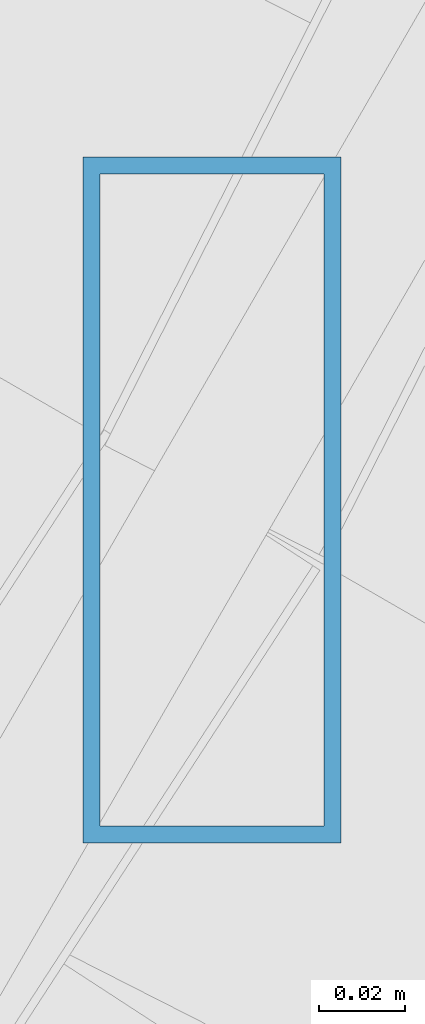
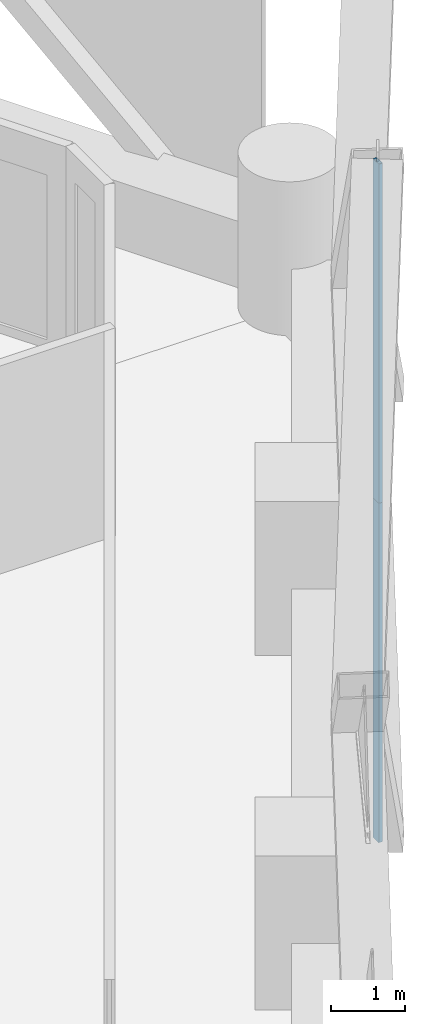
# One storey, part 6 of 22: 2 members, 1 element without a shape of its own.
"""IFC4 building model written with IfcOpenShell, lengths in metres."""

import ifcopenshell
import ifcopenshell.guid

model = None  # the IFC model being written
_history = None  # IfcOwnerHistory: only IFC2X3 demands one
_inside = {}  # id of a spatial element -> (the spatial element, [elements in it])
_under = {}  # id of a project, library or spatial element -> (it, [spatial elements below it])
_declared = {}  # id of a project -> (the project, [libraries it declares])
_typed = {}  # id of a type object -> (the type object, [elements of that type])
_made_of = {}  # id of a material, layer set ... -> (it, [elements and type objects made of it])


def new_model(schema):
    """Start an empty IFC model of exactly this schema.

    Asked for "IFC4X3", IfcOpenShell would pick the latest addendum, in which some entities
    have other attributes; the version numbers below select the first issue.
    IFC2X3 requires an IfcOwnerHistory on every rooted entity: one is made here for all.
    """
    global model, _history
    if schema == "IFC4X3":
        model = ifcopenshell.file(schema_version=(4, 3, 0, 0))
    else:
        model = ifcopenshell.file(schema=schema)
    _inside.clear()
    _under.clear()
    _declared.clear()
    _typed.clear()
    _made_of.clear()
    _history = None
    if model.schema == "IFC2X3":
        org = make("IfcOrganization", Name="unknown")
        user = make(
            "IfcPersonAndOrganization",
            ThePerson=make("IfcPerson", FamilyName="unknown"),
            TheOrganization=org,
        )
        app = make(
            "IfcApplication",
            ApplicationDeveloper=org,
            Version="unknown",
            ApplicationFullName="unknown",
            ApplicationIdentifier="unknown",
        )
        _history = make(
            "IfcOwnerHistory",
            OwningUser=user,
            OwningApplication=app,
            ChangeAction="ADDED",
            CreationDate=0,
        )
    return model


def make(cls, **values):
    """One entity of the class cls with the attributes given. An attribute that is None is left unset."""
    return model.create_entity(
        cls, **{name: value for name, value in values.items() if value is not None}
    )


def rooted(cls, **values):
    """An entity with a GlobalId (a new one), such as an element, a storey or a relation."""
    return make(cls, GlobalId=ifcopenshell.guid.new(), OwnerHistory=_history, **values)


def si_unit(unit_type, name, prefix=None):
    """IfcSIUnit, for example si_unit("LENGTHUNIT", "METRE", prefix="MILLI")."""
    return make("IfcSIUnit", UnitType=unit_type, Prefix=prefix, Name=name)


def assignment(units):
    """IfcUnitAssignment: the units of a project."""
    return None if units is None else make("IfcUnitAssignment", Units=units)


def point(xyz):
    """IfcCartesianPoint."""
    return None if xyz is None else make("IfcCartesianPoint", Coordinates=xyz)


def direction(xyz):
    """IfcDirection."""
    return None if xyz is None else make("IfcDirection", DirectionRatios=xyz)


def frame(location, z_axis=None, x_axis=None):
    """IfcAxis2Placement3D, a coordinate frame: its origin and axes. An axis left out is left unset."""
    return make(
        "IfcAxis2Placement3D",
        Location=point(location),
        Axis=direction(z_axis),
        RefDirection=direction(x_axis),
    )


def frame_2d(location, x_axis=None):
    """IfcAxis2Placement2D, a coordinate frame in the plane: its origin and x axis."""
    return make(
        "IfcAxis2Placement2D", Location=point(location), RefDirection=direction(x_axis)
    )


def origin():
    """The frame at (0, 0, 0) with its axes left unset."""
    return frame((0.0, 0.0, 0.0))


def origin_2d():
    """The frame at (0, 0) in the plane with its x axis left unset."""
    return frame_2d((0.0, 0.0))


def place(relative_to, where):
    """IfcLocalPlacement: puts the frame where relative to a parent placement (None: the world)."""
    return make(
        "IfcLocalPlacement", PlacementRelTo=relative_to, RelativePlacement=where
    )


def context(
    kind, dimensions, precision=None, world=None, true_north=None, identifier=None
):
    """IfcGeometricRepresentationContext, for example the 3D "Model" context."""
    return make(
        "IfcGeometricRepresentationContext",
        ContextIdentifier=identifier,
        ContextType=kind,
        CoordinateSpaceDimension=dimensions,
        Precision=precision,
        WorldCoordinateSystem=world,
        TrueNorth=true_north,
    )


def subcontext(parent, identifier, kind, view, scale=None):
    """IfcGeometricRepresentationSubContext, for example "Body" below "Model"."""
    return make(
        "IfcGeometricRepresentationSubContext",
        ContextIdentifier=identifier,
        ContextType=kind,
        ParentContext=parent,
        TargetScale=scale,
        TargetView=view,
    )


def project(units=None, contexts=None):
    """IfcProject with its units and contexts."""
    return rooted(
        "IfcProject",
        Name="project",
        RepresentationContexts=contexts,
        UnitsInContext=assignment(units),
    )


def spatial(cls, under=None, at=None, **own):
    """A site, building, storey or space (cls), placed at a placement, below another one or the project."""
    s = rooted(cls, ObjectPlacement=at, **own)
    if under is not None:
        _under.setdefault(under.id(), (under, []))[1].append(s)
    return s


def profile(cls, at=None, kind="AREA", **sizes):
    """A parametric profile (cls). Its sizes go by their IFC names, for example OverallWidth=200.0."""
    return make(cls, ProfileType=kind, Position=at, **sizes)


def hollow_rectangle(**sizes):
    """IfcRectangleHollowProfileDef."""
    return profile("IfcRectangleHollowProfileDef", **sizes)


def extrude(swept, where, along, depth):
    """IfcExtrudedAreaSolid: the profile swept, set in the frame where, extruded along a direction by depth."""
    return make(
        "IfcExtrudedAreaSolid",
        SweptArea=swept,
        Position=where,
        ExtrudedDirection=direction(along),
        Depth=depth,
    )


def shape(context_of_items, identifier, shape_type, items):
    """IfcShapeRepresentation: the items that make up one representation, for example the "Body"."""
    return make(
        "IfcShapeRepresentation",
        ContextOfItems=context_of_items,
        RepresentationIdentifier=identifier,
        RepresentationType=shape_type,
        Items=items,
    )


def material(Name=None, Category=None):
    """IfcMaterial."""
    return make("IfcMaterial", Name=Name, Category=Category)


def material_profile(
    of_material, cross_section, Name=None, Category=None, Priority=None
):
    """IfcMaterialProfile: a cross section and its material."""
    return make(
        "IfcMaterialProfile",
        Name=Name,
        Material=of_material,
        Profile=cross_section,
        Priority=Priority,
        Category=Category,
    )


def profile_set(profiles, Name=None, composite=None):
    """IfcMaterialProfileSet."""
    return make(
        "IfcMaterialProfileSet",
        Name=Name,
        MaterialProfiles=profiles,
        CompositeProfile=composite,
    )


def made_of(thing, what):
    """Note that an element or type object is made of a material, layer set ...; save() writes the relation."""
    if what is not None:
        _made_of.setdefault(what.id(), (what, []))[1].append(thing)
    return thing


def type_object(cls, material=None, **own):
    """A type object (cls), such as IfcWallType, which elements share."""
    return made_of(rooted(cls, **own), material)


def element(
    cls,
    number,
    at=None,
    inside=None,
    cuts=None,
    type_object=None,
    material=None,
    context=None,
    identifier="Body",
    shape_type=None,
    held_by="IfcProductDefinitionShape",
    body=None,
    shapes=None,
    **own,
):
    """One element of the class cls, such as IfcWall. Its Tag is "e" and its number.

    at: its placement. inside: the storey or other place that contains it. cuts: it is an
    opening in that element (IfcRelVoidsElement). A single representation is given by context,
    identifier, shape_type and body (its items); several are given by shapes. held_by: the class
    of the entity that holds the representations. save() writes the other relations.
    """
    e = rooted(cls, Tag="e%d" % number, ObjectPlacement=at, **own)
    if body is not None:
        shapes = [shape(context, identifier, shape_type, body)]
    if shapes is not None:
        e.Representation = make(held_by, Representations=shapes)
    if inside is not None:
        _inside.setdefault(inside.id(), (inside, []))[1].append(e)
    if cuts is not None:
        rooted(
            "IfcRelVoidsElement", RelatingBuildingElement=cuts, RelatedOpeningElement=e
        )
    if type_object is not None:
        _typed.setdefault(type_object.id(), (type_object, []))[1].append(e)
    return made_of(e, material)


def aggregate(whole, parts):
    """IfcRelAggregates: a whole, such as a stair, and the parts it consists of."""
    return rooted("IfcRelAggregates", RelatingObject=whole, RelatedObjects=parts)


def save(model, path):
    """Write the relations noted so far, then the file.

    IfcRelAggregates (storeys below a building ...), IfcRelContainedInSpatialStructure (elements
    in a storey), IfcRelDefinesByType, IfcRelAssociatesMaterial and IfcRelDeclares: one each for
    every whole, place, type object, material and project.
    """
    for whole, parts in _under.values():
        aggregate(whole, parts)
    for where, things in _inside.values():
        rooted(
            "IfcRelContainedInSpatialStructure",
            RelatedElements=things,
            RelatingStructure=where,
        )
    for kind, things in _typed.values():
        rooted("IfcRelDefinesByType", RelatedObjects=things, RelatingType=kind)
    for what, things in _made_of.values():
        rooted("IfcRelAssociatesMaterial", RelatedObjects=things, RelatingMaterial=what)
    for by, libraries in _declared.values():
        rooted("IfcRelDeclares", RelatingContext=by, RelatedDefinitions=libraries)
    model.write(path)


model = new_model("IFC4")

# Units and contexts
model_context = context("Model", 3, precision=1e-05, world=origin(), true_north=direction((0.0, 1.0)))
body_context = subcontext(model_context, "Body", "Model", "MODEL_VIEW")
ifc_project = project(units=[si_unit("LENGTHUNIT", "METRE"), si_unit("AREAUNIT", "SQUARE_METRE"), si_unit("VOLUMEUNIT", "CUBIC_METRE"), si_unit("PLANEANGLEUNIT", "RADIAN"), si_unit("MASSUNIT", "GRAM", prefix="KILO")], contexts=[model_context])

# Site, building, storey
site_placement = place(None, origin())
site = spatial("IfcSite", under=ifc_project, at=site_placement, CompositionType="ELEMENT")
building_placement = place(site_placement, origin())
building = spatial("IfcBuilding", under=site, at=building_placement, Name="Ostrander Bayou Hotel Tower", CompositionType="ELEMENT")
storey_placement = place(building_placement, frame((0.0, 0.0, 46.75)))
storey = spatial("IfcBuildingStorey", under=building, at=storey_placement, Name="L11", CompositionType="ELEMENT", Elevation=46.75)

# Curtain wall, members
ifc_material_1 = material(Name="Aluminium and clear glass", Category="aluminium")
curtain_wall_type = type_object("IfcCurtainWallType", Name="CW-LAT lattice glazing", PredefinedType="NOTDEFINED", material=ifc_material_1)
curtain_wall_placement = place(storey_placement, origin())
curtain_wall = element("IfcCurtainWall", 1, at=curtain_wall_placement, inside=storey, type_object=curtain_wall_type, Name="CW-LAT L11 SE 1", PredefinedType="NOTDEFINED")
ifc_material_2 = material(Name="Aluminium", Category="aluminium")
ifc_material_profile = material_profile(ifc_material_2, hollow_rectangle(XDim=0.06005859375, YDim=0.159912109375, WallThickness=0.00390625, at=origin_2d()))
ifc_profile_set = profile_set([ifc_material_profile], Name="Aluminium")
member_type = type_object("IfcMemberType", Name="CW-LA mullion 60 x 160 mm", PredefinedType="MULLION", material=ifc_profile_set)
member_1_placement = place(storey_placement, frame((19.11328125, -11.034912109375, -0.60009765625), z_axis=(0.0, 0.0, 1.0), x_axis=(1.0, 0.0, 0.0)))
member_1 = element("IfcMember", 2, at=member_1_placement, type_object=member_type, Name="CW-LAT mullion 4", PredefinedType="MULLION", context=body_context, shape_type="SweptSolid", body=[
    extrude(hollow_rectangle(XDim=0.06005859375, YDim=0.159912109375, WallThickness=0.00390625, at=origin_2d()), origin(), (0.0, 0.0, 1.0), 5.625),
])
member_2_placement = place(storey_placement, frame((19.11328125, -11.034912109375, 5.02490234375), z_axis=(0.0, 0.0, 1.0), x_axis=(1.0, 0.0, 0.0)))
member_2 = element("IfcMember", 3, at=member_2_placement, type_object=member_type, Name="CW-LAT mullion 5", PredefinedType="MULLION", context=body_context, shape_type="SweptSolid", body=[
    extrude(hollow_rectangle(XDim=0.06005859375, YDim=0.159912109375, WallThickness=0.00390625, at=origin_2d()), origin(), (0.0, 0.0, 1.0), 5.625),
])
aggregate(curtain_wall, [member_1, member_2])

save(model, "model.ifc")
